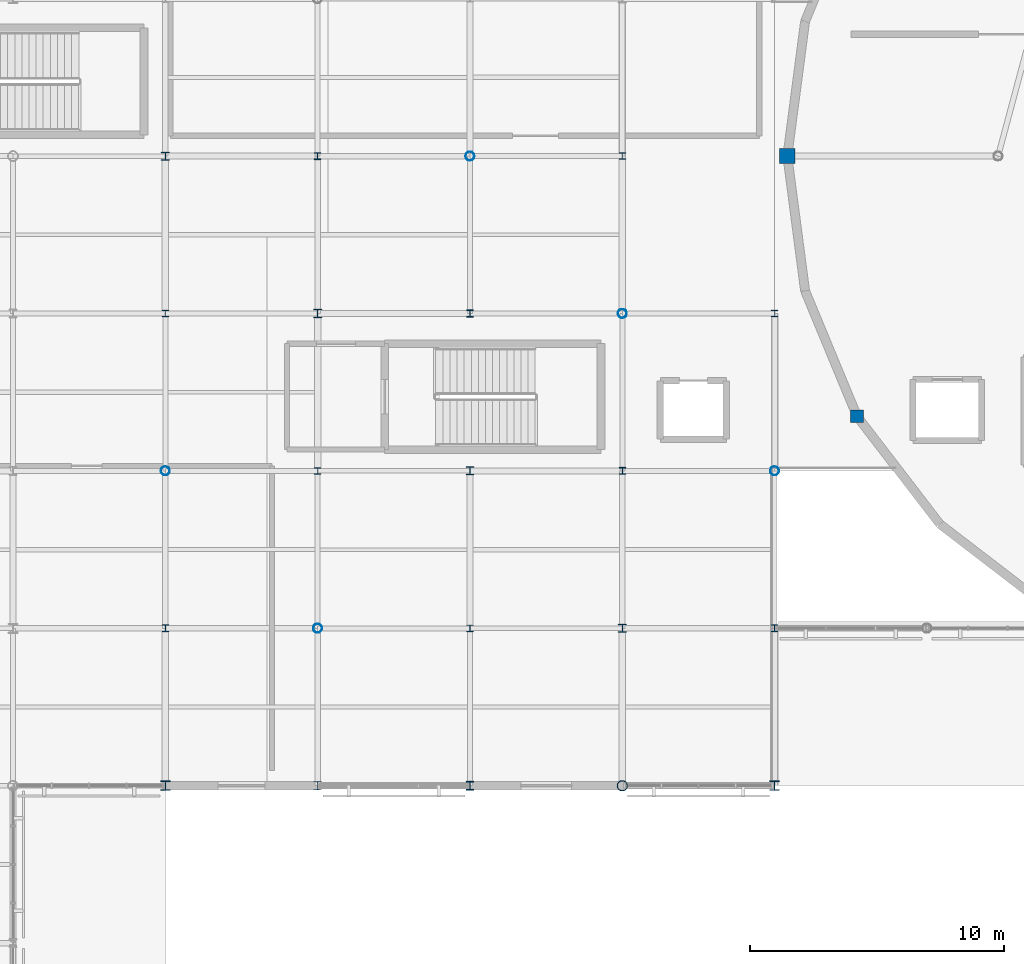
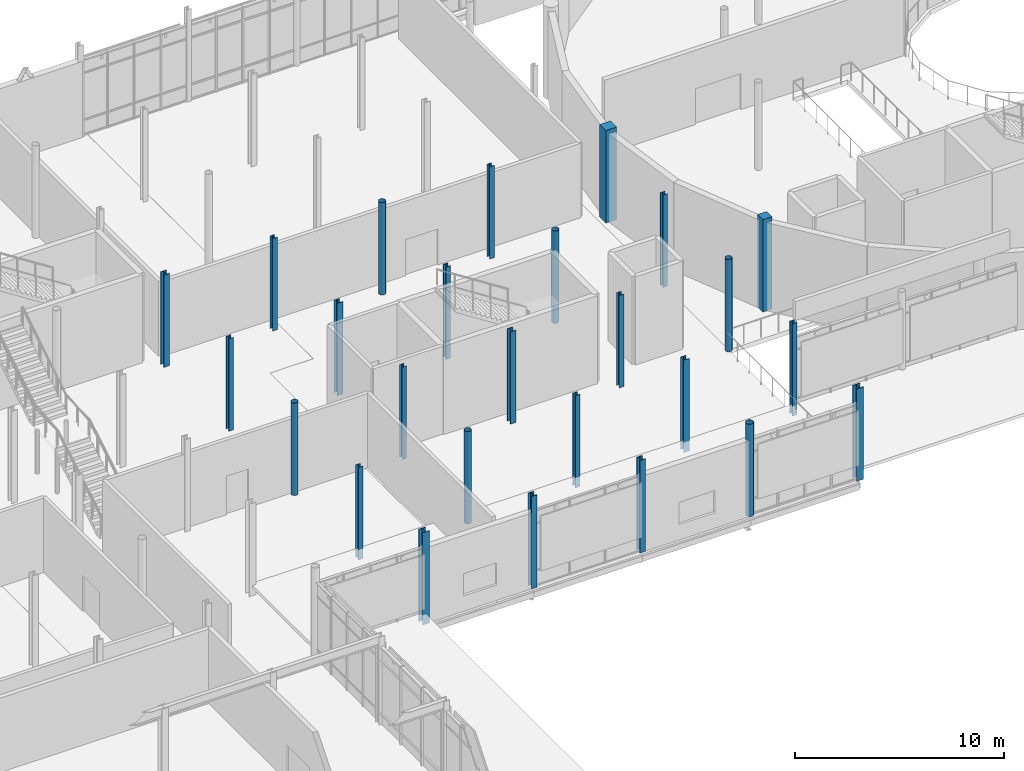
# One storey, part 4 of 105: 26 columns.
"""IFC4 building model written with IfcOpenShell, lengths in metres."""

from ifc_helpers import new_model, si_unit, direction, frame, origin, origin_2d, place, context, subcontext, project, spatial, rectangle, hollow_circle, i_section, extrude, material, material_profile, profile_set, type_object, element, save


model = new_model("IFC4")

# Units and contexts
model_context = context("Model", 3, precision=1e-05, world=origin(), true_north=direction((0.0, 1.0)))
body_context = subcontext(model_context, "Body", "Model", "MODEL_VIEW")
ifc_project = project(units=[si_unit("LENGTHUNIT", "METRE"), si_unit("AREAUNIT", "SQUARE_METRE"), si_unit("VOLUMEUNIT", "CUBIC_METRE"), si_unit("PLANEANGLEUNIT", "RADIAN"), si_unit("MASSUNIT", "GRAM", prefix="KILO")], contexts=[model_context])

# Site, building, storey
site_placement = place(None, origin())
site = spatial("IfcSite", under=ifc_project, at=site_placement, CompositionType="ELEMENT")
building_placement = place(site_placement, origin())
building = spatial("IfcBuilding", under=site, at=building_placement, Name="Mirzam Square Science Centre", CompositionType="ELEMENT")
storey_placement = place(building_placement, frame((0.0, 0.0, 5.39990234375)))
storey = spatial("IfcBuildingStorey", under=building, at=storey_placement, Name="L01", CompositionType="ELEMENT", Elevation=5.39990234375)

# Columns
ifc_material_1 = material(Name="Steel S355", Category="steel")
ifc_material_profile_1 = material_profile(ifc_material_1, hollow_circle(Radius=0.177734375, WallThickness=0.012451171875, at=origin_2d()), Name="355.6x12.5CHS")
ifc_profile_set_1 = profile_set([ifc_material_profile_1], Name="Steel S355")
column_type_1 = type_object("IfcColumnType", Name="COL-CHS355", PredefinedType="COLUMN", material=ifc_profile_set_1)
for number, where, z_axis, x_axis, name in (
    (1, (36.0, 49.60009765625, 0.0), (0.0, 0.0, 1.0), (1.0, 0.0, 0.0), "L01 column G07-09"),
    (2, (42.0, 43.39990234375, 0.0), (0.0, 0.0, 1.0), (1.0, 0.0, 0.0), "L01 column G08-08"),
    (3, (48.0, 62.0, 0.0), (0.0, 0.0, 1.0), (1.0, 0.0, 0.0), "L01 column G09-11"),
    (4, (54.0, 55.800048828125, 0.0), (0.0, 0.0, 1.0), (1.0, 0.0, 0.0), "L01 column G10-10"),
    (5, (60.0, 49.60009765625, 0.0), (0.0, 0.0, 1.0), (1.0, 0.0, 0.0), "L01 column G11-09"),
):
    element("IfcColumn", number, at=place(storey_placement, frame(where, z_axis=z_axis, x_axis=x_axis)), inside=storey, type_object=column_type_1, Name=name, PredefinedType="COLUMN", context=body_context, shape_type="SweptSolid", body=[
        extrude(hollow_circle(Radius=0.177734375, WallThickness=0.012451171875, at=origin_2d()), origin(), (0.0, 0.0, 1.0), 5.400146484375),
    ])
ifc_material_profile_2 = material_profile(ifc_material_1, hollow_circle(Radius=0.203125, WallThickness=0.01611328125, at=origin_2d()), Name="406.4x16.0CHS")
ifc_profile_set_2 = profile_set([ifc_material_profile_2], Name="Steel S355")
column_type_2 = type_object("IfcColumnType", Name="COL-CHS406", PredefinedType="COLUMN", material=ifc_profile_set_2)
column_1_placement = place(storey_placement, frame((54.0, 37.199951171875, 0.0), z_axis=(0.0, 0.0, 1.0), x_axis=(1.0, 0.0, 0.0)))
element("IfcColumn", 6, at=column_1_placement, inside=storey, type_object=column_type_2, Name="L01 column G10-07", PredefinedType="COLUMN", context=body_context, shape_type="SweptSolid", body=[
    extrude(hollow_circle(Radius=0.203125, WallThickness=0.01611328125, at=origin_2d()), origin(), (0.0, 0.0, 1.0), 5.400146484375),
])
ifc_material_profile_3 = material_profile(ifc_material_1, i_section(OverallWidth=0.25634765625, OverallDepth=0.26025390625, WebThickness=0.01025390625, FlangeThickness=0.017333984375, FilletRadius=0.0126953125, at=origin_2d()), Name="254x254x89UC")
ifc_profile_set_3 = profile_set([ifc_material_profile_3], Name="Steel S355")
column_type_3 = type_object("IfcColumnType", Name="COL-UC254A", PredefinedType="COLUMN", material=ifc_profile_set_3)
for number, where, z_axis, x_axis, name in (
    (7, (36.0, 55.800048828125, 0.0), (0.0, 0.0, 1.0), (1.0, 0.0, 0.0), "L01 column G07-10"),
    (8, (42.0, 49.60009765625, 0.0), (0.0, 0.0, 1.0), (1.0, 0.0, 0.0), "L01 column G08-09"),
    (9, (48.0, 43.39990234375, 0.0), (0.0, 0.0, 1.0), (1.0, 0.0, 0.0), "L01 column G09-08"),
    (10, (54.0, 62.0, 0.0), (0.0, 0.0, 1.0), (1.0, 0.0, 0.0), "L01 column G10-11"),
    (11, (60.0, 55.800048828125, 0.0), (0.0, 0.0, 1.0), (1.0, 0.0, 0.0), "L01 column G11-10"),
):
    element("IfcColumn", number, at=place(storey_placement, frame(where, z_axis=z_axis, x_axis=x_axis)), inside=storey, type_object=column_type_3, Name=name, PredefinedType="COLUMN", context=body_context, shape_type="SweptSolid", body=[
        extrude(i_section(OverallWidth=0.25634765625, OverallDepth=0.26025390625, WebThickness=0.01025390625, FlangeThickness=0.017333984375, FilletRadius=0.0126953125, at=origin_2d()), origin(), (0.0, 0.0, 1.0), 5.400146484375),
    ])
ifc_material_profile_4 = material_profile(ifc_material_1, i_section(OverallWidth=0.26123046875, OverallDepth=0.2763671875, WebThickness=0.015380859375, FlangeThickness=0.025390625, FilletRadius=0.0126953125, at=origin_2d()), Name="254x254x132UC")
ifc_profile_set_4 = profile_set([ifc_material_profile_4], Name="Steel S355")
column_type_4 = type_object("IfcColumnType", Name="COL-UC254B", PredefinedType="COLUMN", material=ifc_profile_set_4)
for number, where, z_axis, x_axis, name in (
    (12, (36.0, 43.39990234375, 0.0), (0.0, 0.0, 1.0), (1.0, 0.0, 0.0), "L01 column G07-08"),
    (13, (42.0, 62.0, 0.0), (0.0, 0.0, 1.0), (1.0, 0.0, 0.0), "L01 column G08-11"),
    (14, (48.0, 55.800048828125, 0.0), (0.0, 0.0, 1.0), (1.0, 0.0, 0.0), "L01 column G09-10"),
    (15, (54.0, 49.60009765625, 0.0), (0.0, 0.0, 1.0), (1.0, 0.0, 0.0), "L01 column G10-09"),
    (16, (60.0, 43.39990234375, 0.0), (0.0, 0.0, 1.0), (1.0, 0.0, 0.0), "L01 column G11-08"),
):
    element("IfcColumn", number, at=place(storey_placement, frame(where, z_axis=z_axis, x_axis=x_axis)), inside=storey, type_object=column_type_4, Name=name, PredefinedType="COLUMN", context=body_context, shape_type="SweptSolid", body=[
        extrude(i_section(OverallWidth=0.26123046875, OverallDepth=0.2763671875, WebThickness=0.015380859375, FlangeThickness=0.025390625, FilletRadius=0.0126953125, at=origin_2d()), origin(), (0.0, 0.0, 1.0), 5.400146484375),
    ])
ifc_material_profile_5 = material_profile(ifc_material_1, i_section(OverallWidth=0.30908203125, OverallDepth=0.320556640625, WebThickness=0.013916015625, FlangeThickness=0.021728515625, FilletRadius=0.01513671875, at=origin_2d()), Name="305x305x137UC")
ifc_profile_set_5 = profile_set([ifc_material_profile_5], Name="Steel S355")
column_type_5 = type_object("IfcColumnType", Name="COL-UC305A", PredefinedType="COLUMN", material=ifc_profile_set_5)
for number, where, z_axis, x_axis, name in (
    (17, (36.0, 62.0, 0.0), (0.0, 0.0, 1.0), (1.0, 0.0, 0.0), "L01 column G07-11"),
    (18, (42.0, 55.800048828125, 0.0), (0.0, 0.0, 1.0), (1.0, 0.0, 0.0), "L01 column G08-10"),
    (19, (48.0, 49.60009765625, 0.0), (0.0, 0.0, 1.0), (1.0, 0.0, 0.0), "L01 column G09-09"),
    (20, (54.0, 43.39990234375, 0.0), (0.0, 0.0, 1.0), (1.0, 0.0, 0.0), "L01 column G10-08"),
):
    element("IfcColumn", number, at=place(storey_placement, frame(where, z_axis=z_axis, x_axis=x_axis)), inside=storey, type_object=column_type_5, Name=name, PredefinedType="COLUMN", context=body_context, shape_type="SweptSolid", body=[
        extrude(i_section(OverallWidth=0.30908203125, OverallDepth=0.320556640625, WebThickness=0.013916015625, FlangeThickness=0.021728515625, FilletRadius=0.01513671875, at=origin_2d()), origin(), (0.0, 0.0, 1.0), 5.400146484375),
    ])
ifc_material_profile_6 = material_profile(ifc_material_1, i_section(OverallWidth=0.314453125, OverallDepth=0.33984375, WebThickness=0.01904296875, FlangeThickness=0.031494140625, FilletRadius=0.01513671875, at=origin_2d()), Name="305x305x198UC")
ifc_profile_set_6 = profile_set([ifc_material_profile_6], Name="Steel S355")
column_type_6 = type_object("IfcColumnType", Name="COL-UC305B", PredefinedType="COLUMN", material=ifc_profile_set_6)
column_2_placement = place(storey_placement, frame((48.0, 37.199951171875, 0.0), z_axis=(0.0, 0.0, 1.0), x_axis=(1.0, 0.0, 0.0)))
element("IfcColumn", 21, at=column_2_placement, inside=storey, type_object=column_type_6, Name="L01 column G09-07", PredefinedType="COLUMN", context=body_context, shape_type="SweptSolid", body=[
    extrude(i_section(OverallWidth=0.314453125, OverallDepth=0.33984375, WebThickness=0.01904296875, FlangeThickness=0.031494140625, FilletRadius=0.01513671875, at=origin_2d()), origin(), (0.0, 0.0, 1.0), 5.400146484375),
])
ifc_material_profile_7 = material_profile(ifc_material_1, i_section(OverallWidth=0.318359375, OverallDepth=0.3525390625, WebThickness=0.02294921875, FlangeThickness=0.03759765625, FilletRadius=0.01513671875, at=origin_2d()), Name="305x305x240UC")
ifc_profile_set_7 = profile_set([ifc_material_profile_7], Name="Steel S355")
column_type_7 = type_object("IfcColumnType", Name="COL-UC305C", PredefinedType="COLUMN", material=ifc_profile_set_7)
column_3_placement = place(storey_placement, frame((42.0, 37.199951171875, 0.0), z_axis=(0.0, 0.0, 1.0), x_axis=(1.0, 0.0, 0.0)))
element("IfcColumn", 22, at=column_3_placement, inside=storey, type_object=column_type_7, Name="L01 column G08-07", PredefinedType="COLUMN", context=body_context, shape_type="SweptSolid", body=[
    extrude(i_section(OverallWidth=0.318359375, OverallDepth=0.3525390625, WebThickness=0.02294921875, FlangeThickness=0.03759765625, FilletRadius=0.01513671875, at=origin_2d()), origin(), (0.0, 0.0, 1.0), 5.400146484375),
])
ifc_material_profile_8 = material_profile(ifc_material_1, i_section(OverallWidth=0.374755859375, OverallDepth=0.37451171875, WebThickness=0.0166015625, FlangeThickness=0.027099609375, FilletRadius=0.01513671875, at=origin_2d()), Name="356x368x202UC")
ifc_profile_set_8 = profile_set([ifc_material_profile_8], Name="Steel S355")
column_type_8 = type_object("IfcColumnType", Name="COL-UC356A", PredefinedType="COLUMN", material=ifc_profile_set_8)
for number, where, z_axis, x_axis, name in (
    (23, (36.0, 37.199951171875, 0.0), (0.0, 0.0, 1.0), (1.0, 0.0, 0.0), "L01 column G07-07"),
    (24, (60.0, 37.199951171875, 0.0), (0.0, 0.0, 1.0), (1.0, 0.0, 0.0), "L01 column G11-07"),
):
    element("IfcColumn", number, at=place(storey_placement, frame(where, z_axis=z_axis, x_axis=x_axis)), inside=storey, type_object=column_type_8, Name=name, PredefinedType="COLUMN", context=body_context, shape_type="SweptSolid", body=[
        extrude(i_section(OverallWidth=0.374755859375, OverallDepth=0.37451171875, WebThickness=0.0166015625, FlangeThickness=0.027099609375, FilletRadius=0.01513671875, at=origin_2d()), origin(), (0.0, 0.0, 1.0), 5.400146484375),
    ])
ifc_material_2 = material(Name="Concrete C45/55", Category="concrete")
ifc_material_profile_9 = material_profile(ifc_material_2, rectangle(XDim=0.5, YDim=0.5, at=origin_2d()), Name="RC500x500")
ifc_profile_set_9 = profile_set([ifc_material_profile_9], Name="Concrete C45/55")
column_type_9 = type_object("IfcColumnType", Name="PIL-RC500", PredefinedType="PILASTER", material=ifc_profile_set_9)
column_4_placement = place(storey_placement, frame((63.24658203125, 51.75, 0.0), z_axis=(0.0, 0.0, 1.0), x_axis=(1.0, 0.0, 0.0)))
element("IfcColumn", 25, at=column_4_placement, inside=storey, type_object=column_type_9, Name="L01 drum pilaster 15", PredefinedType="PILASTER", context=body_context, shape_type="SweptSolid", body=[
    extrude(rectangle(XDim=0.5, YDim=0.5, at=origin_2d()), origin(), (0.0, 0.0, 1.0), 5.400146484375),
])
ifc_material_profile_10 = material_profile(ifc_material_2, rectangle(XDim=0.60009765625, YDim=0.60009765625, at=origin_2d()), Name="RC600x600")
ifc_profile_set_10 = profile_set([ifc_material_profile_10], Name="Concrete C45/55")
column_type_10 = type_object("IfcColumnType", Name="PIL-RC600", PredefinedType="PILASTER", material=ifc_profile_set_10)
column_5_placement = place(storey_placement, frame((60.5, 62.0, 0.0), z_axis=(0.0, 0.0, 1.0), x_axis=(1.0, 0.0, 0.0)))
element("IfcColumn", 26, at=column_5_placement, inside=storey, type_object=column_type_10, Name="L01 drum pilaster 13", PredefinedType="PILASTER", context=body_context, shape_type="SweptSolid", body=[
    extrude(rectangle(XDim=0.60009765625, YDim=0.60009765625, at=origin_2d()), origin(), (0.0, 0.0, 1.0), 5.400146484375),
])

save(model, "model.ifc")
